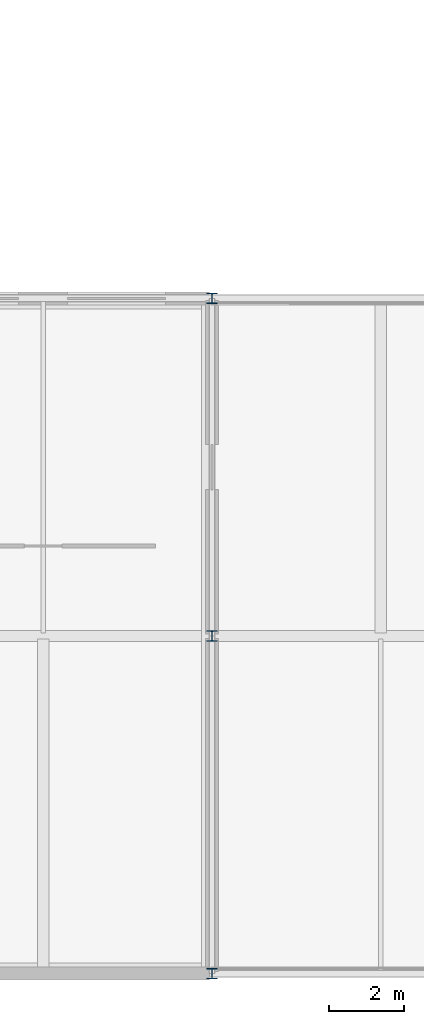
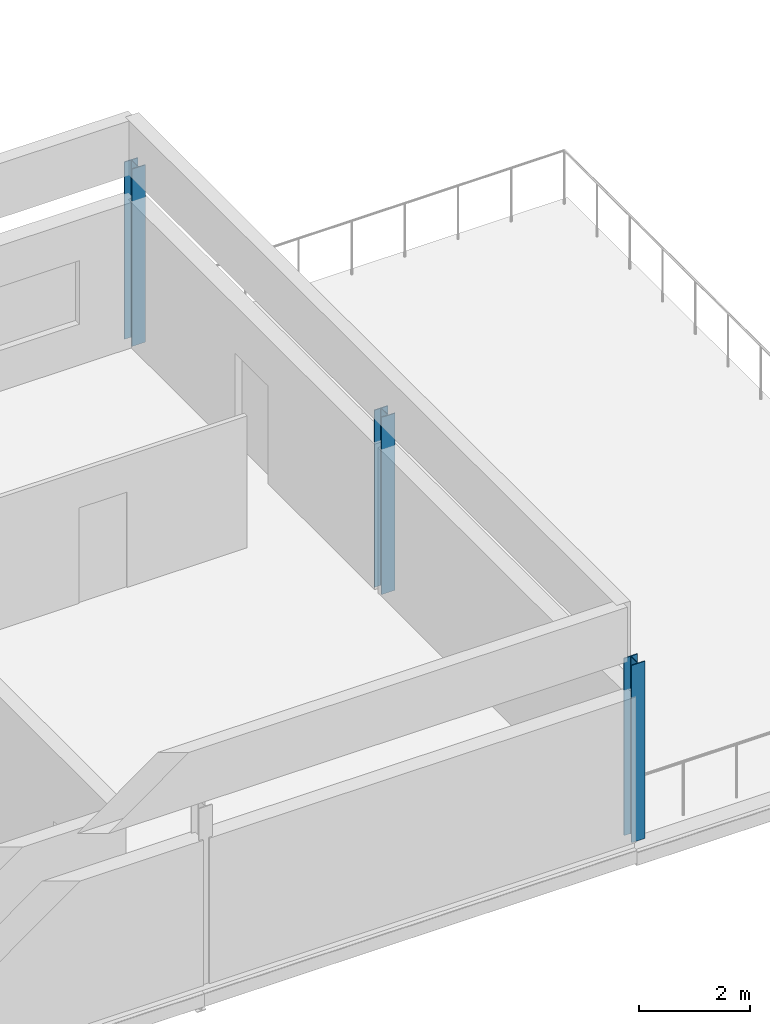
# One storey, part 3 of 18: 3 columns.
"""IFC4 building model written with IfcOpenShell, lengths in metres."""

from ifc_helpers import new_model, si_unit, direction, frame, origin, origin_2d, place, context, subcontext, project, spatial, i_section, extrude, material, material_profile, profile_set, type_object, element, save


model = new_model("IFC4")

# Units and contexts
model_context = context("Model", 3, precision=1e-05, world=origin(), true_north=direction((0.0, 1.0)))
body_context = subcontext(model_context, "Body", "Model", "MODEL_VIEW")
ifc_project = project(units=[si_unit("LENGTHUNIT", "METRE"), si_unit("AREAUNIT", "SQUARE_METRE"), si_unit("VOLUMEUNIT", "CUBIC_METRE"), si_unit("PLANEANGLEUNIT", "RADIAN"), si_unit("MASSUNIT", "GRAM", prefix="KILO")], contexts=[model_context])

# Site, building, storey
site_placement = place(None, origin())
site = spatial("IfcSite", under=ifc_project, at=site_placement, CompositionType="ELEMENT")
building_placement = place(site_placement, origin())
building = spatial("IfcBuilding", under=site, at=building_placement, Name="Kildeholm Park Wholesale Market", CompositionType="ELEMENT")
storey_placement = place(building_placement, frame((0.0, 0.0, 13.5)))
storey = spatial("IfcBuildingStorey", under=building, at=storey_placement, Name="L03", CompositionType="ELEMENT", Elevation=13.5)

# Columns
ifc_material = material(Name="Steel S355", Category="steel")
ifc_material_profile = material_profile(ifc_material, i_section(OverallWidth=0.280029296875, OverallDepth=0.280029296875, WebThickness=0.010498046875, FlangeThickness=0.01806640625, FilletRadius=0.02392578125, at=origin_2d()), Name="HEB 280")
ifc_profile_set = profile_set([ifc_material_profile], Name="Steel S355")
column_type = type_object("IfcColumnType", Name="Column C-S02 HEB 280", PredefinedType="COLUMN", material=ifc_profile_set)
for number, where, z_axis, x_axis, name in (
    (1, (72.0, 0.0, 0.0), (0.0, 0.0, 1.0), (1.0, 0.0, 0.0), "Column V5W-072-000 L03 COL-0738"),
    (2, (72.0, 9.0, 0.0), (0.0, 0.0, 1.0), (1.0, 0.0, 0.0), "Column V5W-072-009 L03 COL-0742"),
    (3, (72.0, 18.0, 0.0), (0.0, 0.0, 1.0), (1.0, 0.0, 0.0), "Column V5W-072-018 L03 COL-0746"),
):
    element("IfcColumn", number, at=place(storey_placement, frame(where, z_axis=z_axis, x_axis=x_axis)), inside=storey, type_object=column_type, Name=name, PredefinedType="COLUMN", context=body_context, shape_type="SweptSolid", body=[
        extrude(i_section(OverallWidth=0.280029296875, OverallDepth=0.280029296875, WebThickness=0.010498046875, FlangeThickness=0.01806640625, FilletRadius=0.02392578125, at=origin_2d()), origin(), (0.0, 0.0, 1.0), 3.89990234375),
    ])

save(model, "model.ifc")
